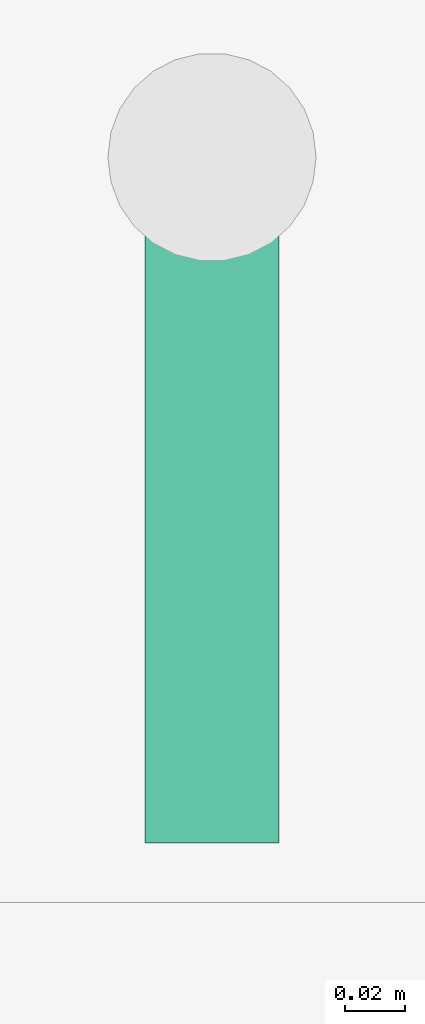
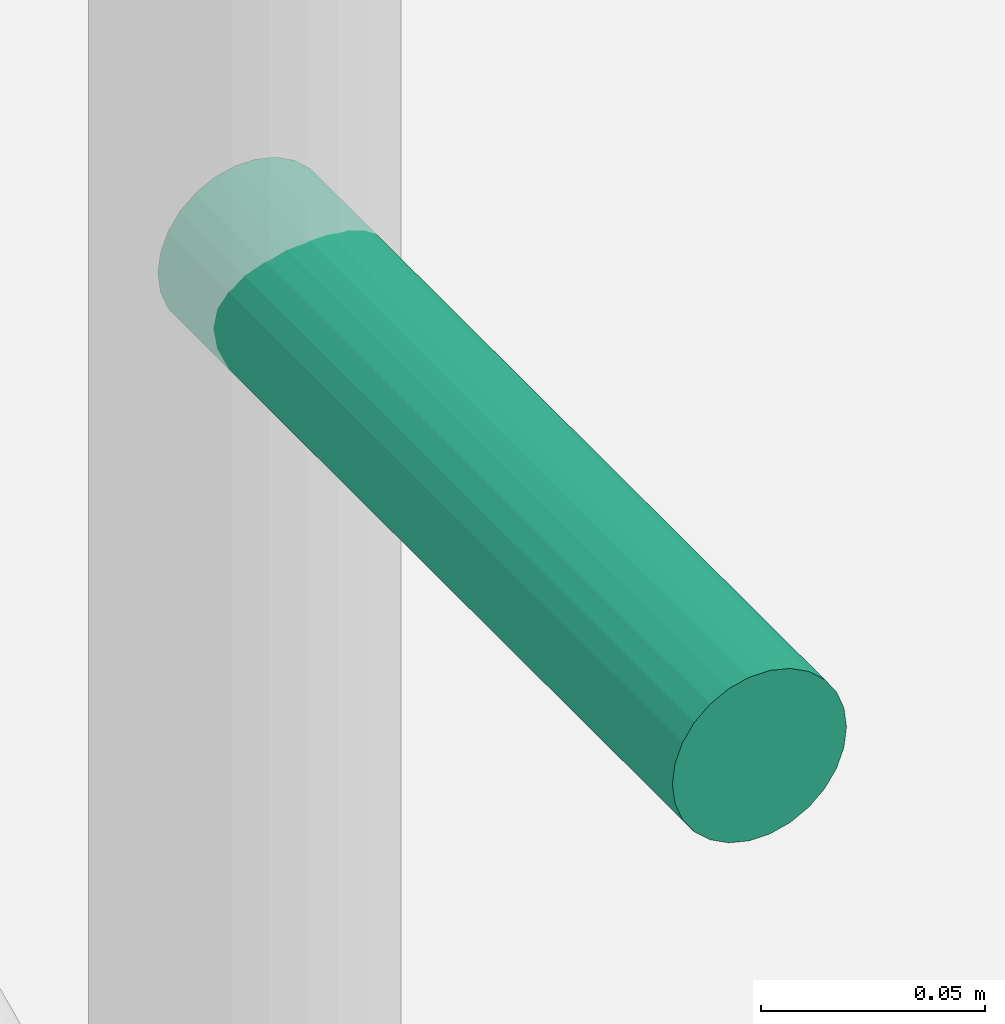
# One storey, part 29 of 33: 1 pipe fitting.
"""IFC4 building model written with IfcOpenShell, lengths in metres."""

from ifc_helpers import new_model, si_unit, direction, frame, origin, origin_2d, place, context, subcontext, project, spatial, circle, extrude, element, save


model = new_model("IFC4")

# Units and contexts
model_context = context("Model", 3, precision=1e-05, world=origin(), true_north=direction((0.0, 1.0)))
body_context = subcontext(model_context, "Body", "Model", "MODEL_VIEW")
ifc_project = project(units=[si_unit("LENGTHUNIT", "METRE"), si_unit("AREAUNIT", "SQUARE_METRE"), si_unit("VOLUMEUNIT", "CUBIC_METRE"), si_unit("PLANEANGLEUNIT", "RADIAN"), si_unit("MASSUNIT", "GRAM", prefix="KILO")], contexts=[model_context])

# Site, building, storey
site_placement = place(None, origin())
site = spatial("IfcSite", under=ifc_project, at=site_placement, CompositionType="ELEMENT")
building_placement = place(site_placement, origin())
building = spatial("IfcBuilding", under=site, at=building_placement, Name="Nzadi Deep Aquarium and Research Tower", CompositionType="ELEMENT")
storey_placement = place(building_placement, frame((0.0, 0.0, -5.5)))
storey = spatial("IfcBuildingStorey", under=building, at=storey_placement, Name="B1", CompositionType="ELEMENT", Elevation=-5.5)

# Pipe fitting
pipe_fitting_placement = place(storey_placement, frame((2.300048828125, 68.9599609375, 1.10009765625), z_axis=(0.0, -1.0, 0.0), x_axis=(1.0, 0.0, 0.0)))
element("IfcPipeFitting", 1, at=pipe_fitting_placement, inside=storey, Name="Dry riser outlet ST-Z2-W B1", PredefinedType="EXIT", context=body_context, shape_type="SweptSolid", body=[
    extrude(circle(Radius=0.0224609375, at=origin_2d()), origin(), (0.0, 0.0, 1.0), 0.22998046875),
])

save(model, "model.ifc")
